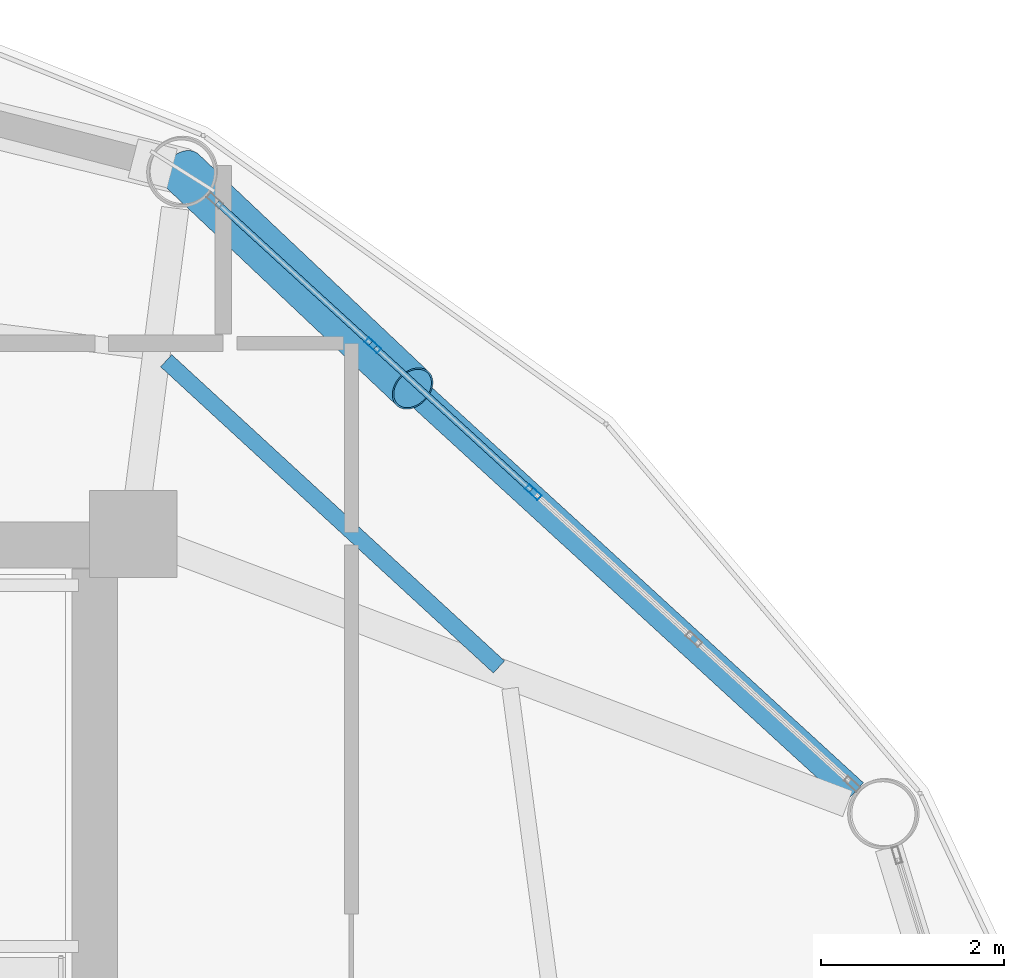
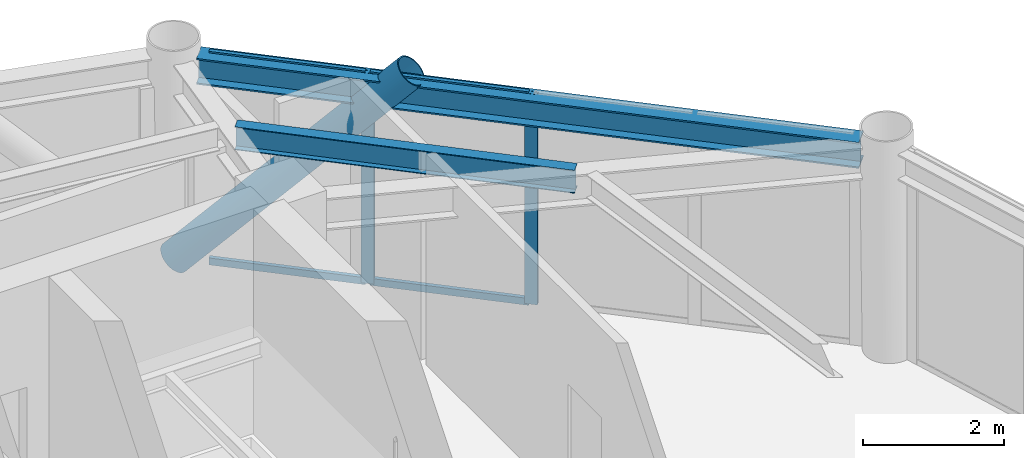
# One storey, part 20 of 27: 7 members, 2 beams, 1 element without a shape of its own.
"""IFC4 building model written with IfcOpenShell, lengths in metres."""

from ifc_helpers import new_model, si_unit, direction, frame, origin, origin_2d, place, context, subcontext, project, spatial, hollow_rectangle, hollow_circle, i_section, extrude, material, layer, layer_set, material_profile, profile_set, type_object, element, aggregate, save


model = new_model("IFC4")

# Units and contexts
model_context = context("Model", 3, precision=1e-05, world=origin(), true_north=direction((0.0, 1.0)))
body_context = subcontext(model_context, "Body", "Model", "MODEL_VIEW")
ifc_project = project(units=[si_unit("LENGTHUNIT", "METRE"), si_unit("AREAUNIT", "SQUARE_METRE"), si_unit("VOLUMEUNIT", "CUBIC_METRE"), si_unit("PLANEANGLEUNIT", "RADIAN"), si_unit("MASSUNIT", "GRAM", prefix="KILO")], contexts=[model_context])

# Site, building, storey
site_placement = place(None, origin())
site = spatial("IfcSite", under=ifc_project, at=site_placement, CompositionType="ELEMENT")
building_placement = place(site_placement, origin())
building = spatial("IfcBuilding", under=site, at=building_placement, Name="Varnakorn Sky Granary", CompositionType="ELEMENT")
storey_placement = place(building_placement, frame((0.0, 0.0, 134.39990234375)))
storey = spatial("IfcBuildingStorey", under=building, at=storey_placement, Name="L33", CompositionType="ELEMENT", Elevation=134.39990234375)

# Beams
ifc_material_1 = material(Name="Steel S355JR", Category="steel")
ifc_material_profile_1 = material_profile(ifc_material_1, i_section(OverallWidth=0.179931640625, OverallDepth=0.39990234375, WebThickness=0.008544921875, FlangeThickness=0.013427734375, at=origin_2d()), Name="IPE 400")
ifc_profile_set_1 = profile_set([ifc_material_profile_1], Name="Steel S355JR")
beam_type_1 = type_object("IfcBeamType", Name="BM-SEC-Z3", PredefinedType="BEAM", material=ifc_profile_set_1)
beam_1_placement = place(storey_placement, frame((12.40966796875, 11.169189453125, 3.440185546875), z_axis=(-0.735836342517, 0.677159417738, 0.0), x_axis=(-0.677159417738, -0.735836342517, 0.0)))
element("IfcBeam", 1, at=beam_1_placement, inside=storey, type_object=beam_type_1, Name="Secondary Floor Chord Beam MSB02 L33", PredefinedType="BEAM", context=body_context, shape_type="SweptSolid", body=[
    extrude(i_section(OverallWidth=0.179931640625, OverallDepth=0.39990234375, WebThickness=0.008544921875, FlangeThickness=0.013427734375, at=origin_2d()), origin(), (0.0, 0.0, 1.0), 4.9345703125),
])
ifc_material_profile_2 = material_profile(ifc_material_1, i_section(OverallWidth=0.300048828125, OverallDepth=0.449951171875, WebThickness=0.013916015625, FlangeThickness=0.02587890625, at=origin_2d()), Name="HE 450 B")
ifc_profile_set_2 = profile_set([ifc_material_profile_2], Name="Steel S355JR")
beam_type_2 = type_object("IfcBeamType", Name="BM-SPD-Z3", PredefinedType="SPANDREL", material=ifc_profile_set_2)
beam_2_placement = place(storey_placement, frame((16.284912109375, 9.795166015625, 3.4150390625), z_axis=(-0.737414391393, 0.675440608319, 0.0), x_axis=(-0.675440608319, -0.737414391393, 0.0)))
element("IfcBeam", 2, at=beam_2_placement, inside=storey, type_object=beam_type_2, Name="Perimeter Spandrel Ring Beam RB02 L33", PredefinedType="SPANDREL", context=body_context, shape_type="SweptSolid", body=[
    extrude(i_section(OverallWidth=0.300048828125, OverallDepth=0.449951171875, WebThickness=0.013916015625, FlangeThickness=0.02587890625, at=origin_2d()), origin(), (0.0, 0.0, 1.0), 9.6162109375),
])

# Curtain wall, members
ifc_material_2 = material(Name="Anodised Bronze Aluminium Alloy 6063-T6", Category="aluminium")
ifc_layer = layer(ifc_material_2, 0.179931640625, Name="Anodised Bronze Aluminium Alloy 6063-T6")
ifc_layer_set = layer_set([ifc_layer], Name="Anodised Bronze Aluminium Alloy 6063-T6")
curtain_wall_type = type_object("IfcCurtainWallType", Name="CW-FRM-2", PredefinedType="USERDEFINED", material=ifc_layer_set)
curtain_wall_placement = place(storey_placement, origin())
curtain_wall = element("IfcCurtainWall", 3, at=curtain_wall_placement, inside=storey, type_object=curtain_wall_type, Name="Unitised Curtain Wall CW4 CW-L33-B02", ObjectType="CURTAIN WALL", PredefinedType="USERDEFINED")
ifc_material_profile_3 = material_profile(ifc_material_2, hollow_rectangle(XDim=0.070068359375, YDim=0.18505859375, WallThickness=0.00390625, at=origin_2d()), Name="ALU MULL 70x185")
ifc_profile_set_3 = profile_set([ifc_material_profile_3], Name="Anodised Bronze Aluminium Alloy 6063-T6")
member_type_1 = type_object("IfcMemberType", Name="CW-FRM-2-MULL", PredefinedType="MULLION", material=ifc_profile_set_3)
member_1_placement = place(storey_placement, frame((11.033935546875, 14.678466796875, 0.0), z_axis=(0.0, 0.0, 1.0), x_axis=(0.675182733871, 0.737650510664, 0.0)))
member_1 = element("IfcMember", 4, at=member_1_placement, type_object=member_type_1, Name="CW4 mullion 2", PredefinedType="MULLION", context=body_context, shape_type="SweptSolid", body=[
    extrude(hollow_rectangle(XDim=0.070068359375, YDim=0.18505859375, WallThickness=0.00390625, at=origin_2d()), origin(), (0.0, 0.0, 1.0), 3.64013671875),
])
member_2_placement = place(storey_placement, frame((12.78515625, 13.07568359375, 0.0), z_axis=(0.0, 0.0, 1.0), x_axis=(0.675182733871, 0.737650510664, 0.0)))
member_2 = element("IfcMember", 5, at=member_2_placement, type_object=member_type_1, Name="CW4 mullion 3", PredefinedType="MULLION", context=body_context, shape_type="SweptSolid", body=[
    extrude(hollow_rectangle(XDim=0.070068359375, YDim=0.18505859375, WallThickness=0.00390625, at=origin_2d()), origin(), (0.0, 0.0, 1.0), 3.64013671875),
])
ifc_material_profile_4 = material_profile(ifc_material_2, hollow_rectangle(XDim=0.06494140625, YDim=0.1201171875, WallThickness=0.00341796875, at=origin_2d()), Name="ALU TRAN 65x120")
ifc_profile_set_4 = profile_set([ifc_material_profile_4], Name="Anodised Bronze Aluminium Alloy 6063-T6")
member_type_2 = type_object("IfcMemberType", Name="CW-FRM-2-TRAN", PredefinedType="USERDEFINED", material=ifc_profile_set_4)
member_3_placement = place(storey_placement, frame((9.33447265625, 16.234130859375, 0.03271484375), z_axis=(0.737672004094, -0.675159251122, 0.0), x_axis=(0.675159251122, 0.737672004094, 0.0)))
member_3 = element("IfcMember", 6, at=member_3_placement, type_object=member_type_2, Name="CW4 transom 1.1", ObjectType="TRANSOM", PredefinedType="USERDEFINED", context=body_context, shape_type="SweptSolid", body=[
    extrude(hollow_rectangle(XDim=0.06494140625, YDim=0.1201171875, WallThickness=0.00341796875, at=origin_2d()), origin(), (0.0, 0.0, 1.0), 2.26904296875),
])
member_4_placement = place(storey_placement, frame((9.33447265625, 16.234130859375, 3.607666015625), z_axis=(0.737672004094, -0.675159251122, 0.0), x_axis=(0.675159251122, 0.737672004094, 0.0)))
member_4 = element("IfcMember", 7, at=member_4_placement, type_object=member_type_2, Name="CW4 transom 1.2", ObjectType="TRANSOM", PredefinedType="USERDEFINED", context=body_context, shape_type="SweptSolid", body=[
    extrude(hollow_rectangle(XDim=0.06494140625, YDim=0.1201171875, WallThickness=0.00341796875, at=origin_2d()), origin(), (0.0, 0.0, 1.0), 2.26904296875),
])
member_5_placement = place(storey_placement, frame((11.059814453125, 14.65478515625, 0.03271484375), z_axis=(0.737624607375, -0.675211032638, 0.0), x_axis=(0.675211032638, 0.737624607375, 0.0)))
member_5 = element("IfcMember", 8, at=member_5_placement, type_object=member_type_2, Name="CW4 transom 2.1", ObjectType="TRANSOM", PredefinedType="USERDEFINED", context=body_context, shape_type="SweptSolid", body=[
    extrude(hollow_rectangle(XDim=0.06494140625, YDim=0.1201171875, WallThickness=0.00341796875, at=origin_2d()), origin(), (0.0, 0.0, 1.0), 2.303955078125),
])
member_6_placement = place(storey_placement, frame((11.059814453125, 14.65478515625, 3.607666015625), z_axis=(0.737624607375, -0.675211032638, 0.0), x_axis=(0.675211032638, 0.737624607375, 0.0)))
member_6 = element("IfcMember", 9, at=member_6_placement, type_object=member_type_2, Name="CW4 transom 2.2", ObjectType="TRANSOM", PredefinedType="USERDEFINED", context=body_context, shape_type="SweptSolid", body=[
    extrude(hollow_rectangle(XDim=0.06494140625, YDim=0.1201171875, WallThickness=0.00341796875, at=origin_2d()), origin(), (0.0, 0.0, 1.0), 2.303955078125),
])
aggregate(curtain_wall, [member_1, member_2, member_3, member_4, member_5, member_6])

# Member
ifc_material_3 = material(Name="Steel S460M", Category="steel")
ifc_material_profile_5 = material_profile(ifc_material_3, hollow_circle(Radius=0.25390625, WallThickness=0.01806640625, at=origin_2d()), Name="CHS 508x18")
ifc_profile_set_5 = profile_set([ifc_material_profile_5], Name="Steel S460M")
member_type_3 = type_object("IfcMemberType", Name="MB-DIAG-T2", PredefinedType="BRACE", material=ifc_profile_set_5)
member_7_placement = place(storey_placement, frame((8.95751953125, 16.5791015625, 0.0), z_axis=(0.489551499458, -0.462504981445, 0.739208002877), x_axis=(0.686741862629, 0.726901378533, 0.0)))
element("IfcMember", 10, at=member_7_placement, inside=storey, type_object=member_type_3, Name="Perimeter CHS Diagrid Brace DG02 L33", PredefinedType="BRACE", context=body_context, shape_type="SweptSolid", body=[
    extrude(hollow_circle(Radius=0.25390625, WallThickness=0.01806640625, at=origin_2d()), origin(), (0.0, 0.0, 1.0), 5.127197265625),
])

save(model, "model.ifc")
